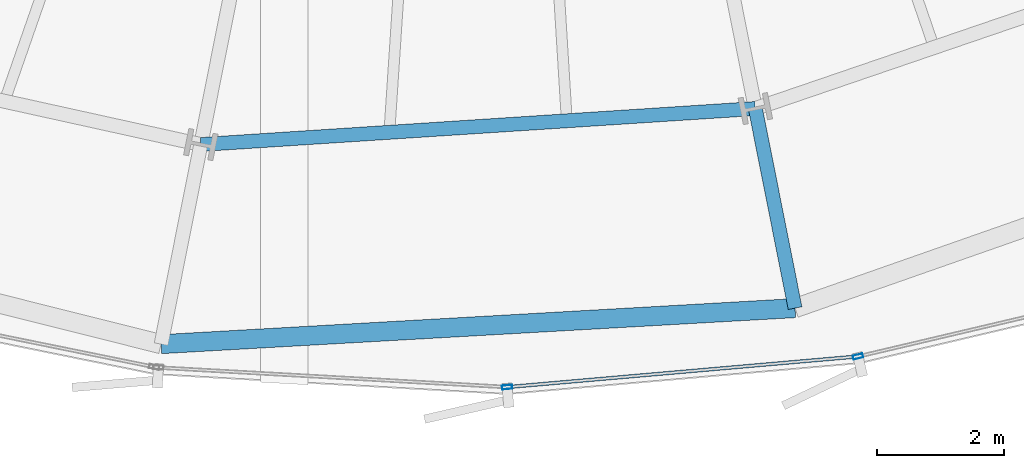
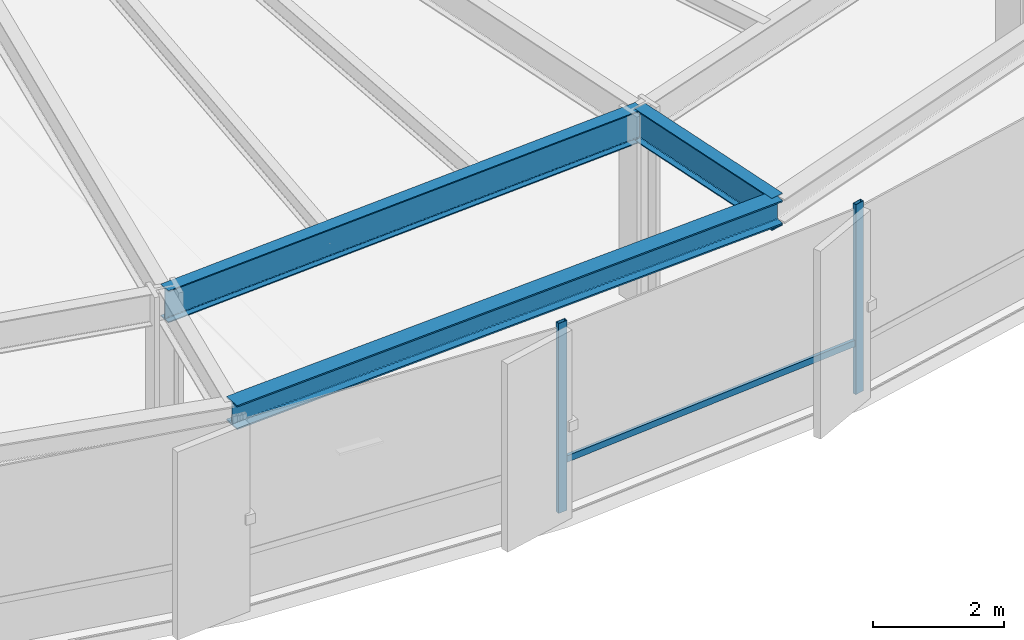
# One storey, part 10 of 39: 3 beams, 3 members, 1 element without a shape of its own.
"""IFC4 building model written with IfcOpenShell, lengths in metres."""

from ifc_helpers import new_model, si_unit, direction, frame, origin, origin_2d, place, context, subcontext, project, spatial, hollow_rectangle, i_section, extrude, source, transform, mapped, material, layer, layer_set, material_profile, profile_set, type_object, element, aggregate, save


model = new_model("IFC4")

# Units and contexts
model_context = context("Model", 3, precision=1e-05, world=origin(), true_north=direction((0.0, 1.0)))
body_context = subcontext(model_context, "Body", "Model", "MODEL_VIEW")
ifc_project = project(units=[si_unit("LENGTHUNIT", "METRE"), si_unit("AREAUNIT", "SQUARE_METRE"), si_unit("VOLUMEUNIT", "CUBIC_METRE"), si_unit("PLANEANGLEUNIT", "RADIAN"), si_unit("MASSUNIT", "GRAM", prefix="KILO"), si_unit("THERMODYNAMICTEMPERATUREUNIT", "KELVIN")], contexts=[model_context])

# Site, building, storey
site_placement = place(None, origin())
site = spatial("IfcSite", under=ifc_project, at=site_placement, CompositionType="ELEMENT")
building_placement = place(site_placement, origin())
building = spatial("IfcBuilding", under=site, at=building_placement, Name="Kethvar Cultural Tower", CompositionType="ELEMENT")
storey_placement = place(building_placement, frame((0.0, 0.0, 33.39990234375)))
storey = spatial("IfcBuildingStorey", under=building, at=storey_placement, Name="L07", CompositionType="ELEMENT", Elevation=33.39990234375)

# Beams
ifc_material_1 = material(Name="Steel S355J2", Category="steel")
ifc_material_profile_1 = material_profile(ifc_material_1, i_section(OverallWidth=0.219970703125, OverallDepth=0.60009765625, WebThickness=0.011962890625, FlangeThickness=0.01904296875, FilletRadius=0.02392578125, at=origin_2d()), Name="Steel S355J2 — IPE600")
ifc_profile_set_1 = profile_set([ifc_material_profile_1], Name="Steel S355J2 — IPE600")
beam_type_1 = type_object("IfcBeamType", Name="BM-IPE600", PredefinedType="BEAM", material=ifc_profile_set_1)
shared_shape_1 = source(origin(), body_context, "Body", "SweptSolid", [
    extrude(i_section(OverallWidth=0.219970703125, OverallDepth=0.60009765625, WebThickness=0.011962890625, FlangeThickness=0.01904296875, FilletRadius=0.02392578125, at=origin_2d()), origin(), (0.0, 0.0, 1.0), 3.199951171875),
])
beam_1_placement = place(storey_placement, frame((51.10400390625, 6.16259765625, 3.248046875), z_axis=(0.195088965533, -0.980785550224, 0.0), x_axis=(0.980785550224, 0.195088965533, 0.0)))
element("IfcBeam", 1, at=beam_1_placement, inside=storey, type_object=beam_type_1, Name="L07 Perimeter Cantilever Beam RC-13", PredefinedType="BEAM", context=body_context, shape_type="MappedRepresentation", body=[
    mapped(shared_shape_1, transform((0.0, 0.0, 0.0), scale=1.0)),
])
shared_shape_2 = source(origin(), body_context, "Body", "SweptSolid", [
    extrude(i_section(OverallWidth=0.219970703125, OverallDepth=0.60009765625, WebThickness=0.011962890625, FlangeThickness=0.01904296875, FilletRadius=0.02392578125, at=origin_2d()), origin(), (0.0, 0.0, 1.0), 8.739013671875),
])
beam_2_placement = place(storey_placement, frame((42.38330078125, 5.59619140625, 3.248046875), z_axis=(0.997897424084, 0.064813046581, 0.0), x_axis=(-0.064813046581, 0.997897424084, 0.0)))
element("IfcBeam", 2, at=beam_2_placement, inside=storey, type_object=beam_type_1, Name="L07 Column Ring Tie Beam CR-12", PredefinedType="BEAM", context=body_context, shape_type="MappedRepresentation", body=[
    mapped(shared_shape_2, transform((0.0, 0.0, 0.0), scale=1.0)),
])
ifc_material_profile_2 = material_profile(ifc_material_1, i_section(OverallWidth=0.300048828125, OverallDepth=0.449951171875, WebThickness=0.013916015625, FlangeThickness=0.02587890625, FilletRadius=0.027099609375, at=origin_2d()), Name="Steel S355J2 — HEB450")
ifc_profile_set_2 = profile_set([ifc_material_profile_2], Name="Steel S355J2 — HEB450")
beam_type_2 = type_object("IfcBeamType", Name="BM-SP450", PredefinedType="SPANDREL", material=ifc_profile_set_2)
shared_shape_3 = source(origin(), body_context, "Body", "SweptSolid", [
    extrude(i_section(OverallWidth=0.300048828125, OverallDepth=0.449951171875, WebThickness=0.013916015625, FlangeThickness=0.02587890625, FilletRadius=0.027099609375, at=origin_2d()), origin(), (0.0, 0.0, 1.0), 9.9853515625),
])
beam_3_placement = place(storey_placement, frame((41.759033203125, 2.45751953125, 3.322998046875), z_axis=(0.998388517249, 0.056748291829, 0.0), x_axis=(-0.056748291829, 0.998388517249, 0.0)))
element("IfcBeam", 3, at=beam_3_placement, inside=storey, type_object=beam_type_2, Name="L07 Perimeter Spandrel Beam SP-12", PredefinedType="SPANDREL", context=body_context, shape_type="MappedRepresentation", body=[
    mapped(shared_shape_3, transform((0.0, 0.0, 0.0), scale=1.0)),
])

# Curtain wall, members
ifc_material_2 = material(Name="Aluminium 6063-T6", Category="aluminium")
ifc_layer = layer(ifc_material_2, 0.179931640625, Name="Aluminium 6063-T6", Category="aluminium")
ifc_layer_set = layer_set([ifc_layer], Name="Aluminium 6063-T6 (180 mm)")
curtain_wall_type = type_object("IfcCurtainWallType", Name="CW-SYS-02-Z1", PredefinedType="NOTDEFINED", material=ifc_layer_set)
curtain_wall_placement = place(storey_placement, origin())
curtain_wall = element("IfcCurtainWall", 4, at=curtain_wall_placement, inside=storey, type_object=curtain_wall_type, Name="L07 Curtain Wall Run 06", PredefinedType="NOTDEFINED")
ifc_material_profile_3 = material_profile(ifc_material_2, hollow_rectangle(XDim=0.06494140625, YDim=0.159912109375, WallThickness=0.0048828125, at=origin_2d()), Name="Aluminium 6063-T6 — RHS160x65x5")
ifc_profile_set_3 = profile_set([ifc_material_profile_3], Name="Aluminium 6063-T6 — RHS160x65x5")
member_type_1 = type_object("IfcMemberType", Name="CW-SYS-02-Z1-MUL", PredefinedType="MULLION", material=ifc_profile_set_3)
shared_shape_4 = source(origin(), body_context, "Body", "SweptSolid", [
    extrude(hollow_rectangle(XDim=0.06494140625, YDim=0.159912109375, WallThickness=0.0048828125, at=origin_2d()), origin(), (0.0, 0.0, 1.0), 3.550048828125),
])
member_1_placement = place(storey_placement, frame((47.2001953125, 1.781494140625, 0.0), z_axis=(0.0, 0.0, 1.0), x_axis=(-0.087138355857, 0.996196219095, 0.0)))
member_1 = element("IfcMember", 5, at=member_1_placement, type_object=member_type_1, Name="CW-L07-R06 Mullion 2", PredefinedType="MULLION", context=body_context, shape_type="MappedRepresentation", body=[
    mapped(shared_shape_4, transform((0.0, 0.0, 0.0), scale=1.0)),
])
member_2_placement = place(storey_placement, frame((52.718017578125, 2.262939453125, 0.0), z_axis=(0.0, 0.0, 1.0), x_axis=(-0.229115446685, 0.973399256261, 0.0)))
member_2 = element("IfcMember", 6, at=member_2_placement, type_object=member_type_1, Name="CW-L07-R06 Mullion 3", PredefinedType="MULLION", context=body_context, shape_type="MappedRepresentation", body=[
    mapped(shared_shape_4, transform((0.0, 0.0, 0.0), scale=1.0)),
])
ifc_material_profile_4 = material_profile(ifc_material_2, hollow_rectangle(XDim=0.054931640625, YDim=0.1201171875, WallThickness=0.00390625, at=origin_2d()), Name="Aluminium 6063-T6 — RHS120x55x4")
ifc_profile_set_4 = profile_set([ifc_material_profile_4], Name="Aluminium 6063-T6 — RHS120x55x4")
member_type_2 = type_object("IfcMemberType", Name="CW-SYS-02-Z1-TRN", PredefinedType="USERDEFINED", material=ifc_profile_set_4)
shared_shape_5 = source(origin(), body_context, "Body", "SweptSolid", [
    extrude(hollow_rectangle(XDim=0.054931640625, YDim=0.1201171875, WallThickness=0.00390625, at=origin_2d()), origin(), (0.0, 0.0, 1.0), 5.462158203125),
])
member_3_placement = place(storey_placement, frame((47.246826171875, 1.78564453125, 0.9501953125), z_axis=(0.996194493701, 0.087158078909, 0.0), x_axis=(-0.087158078909, 0.996194493701, 0.0)))
member_3 = element("IfcMember", 7, at=member_3_placement, type_object=member_type_2, Name="CW-L07-R06 Transom 2", ObjectType="TRANSOM", PredefinedType="USERDEFINED", context=body_context, shape_type="MappedRepresentation", body=[
    mapped(shared_shape_5, transform((0.0, 0.0, 0.0), scale=1.0)),
])
aggregate(curtain_wall, [member_1, member_2, member_3])

save(model, "model.ifc")
